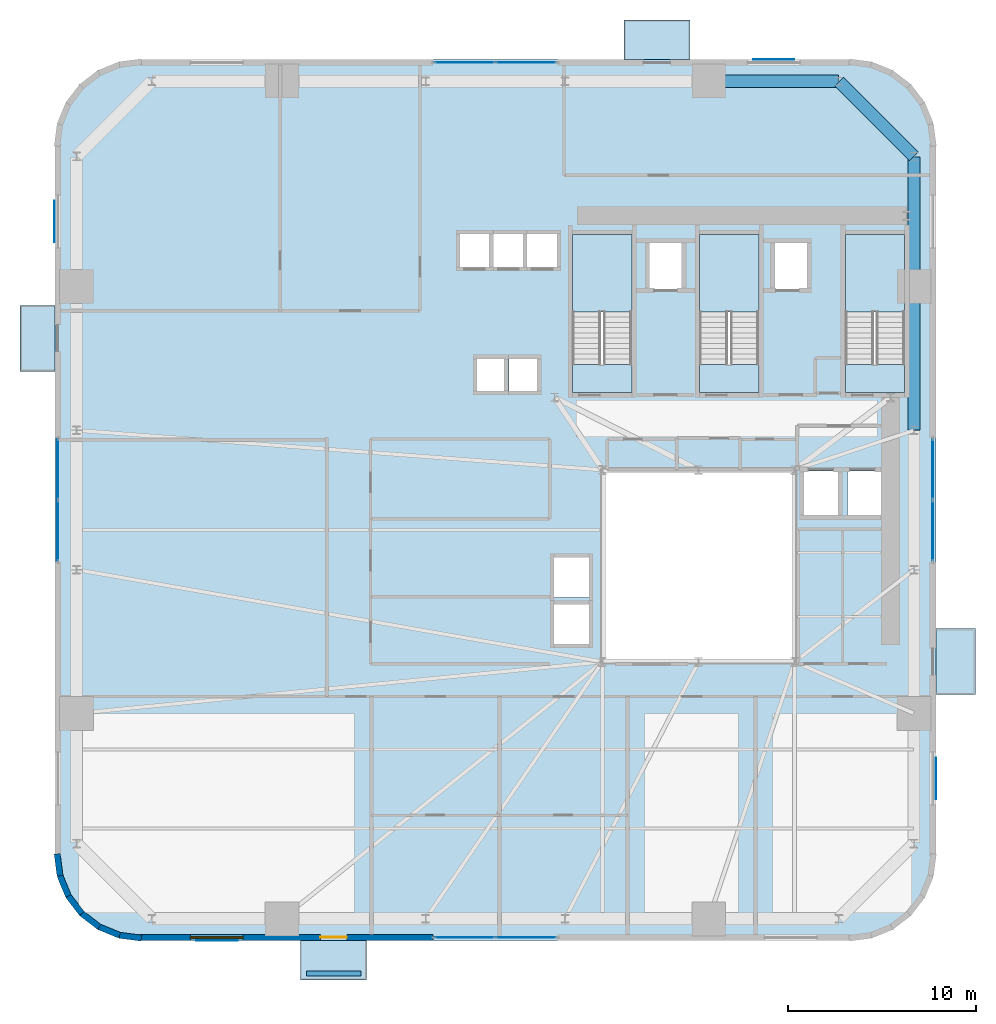
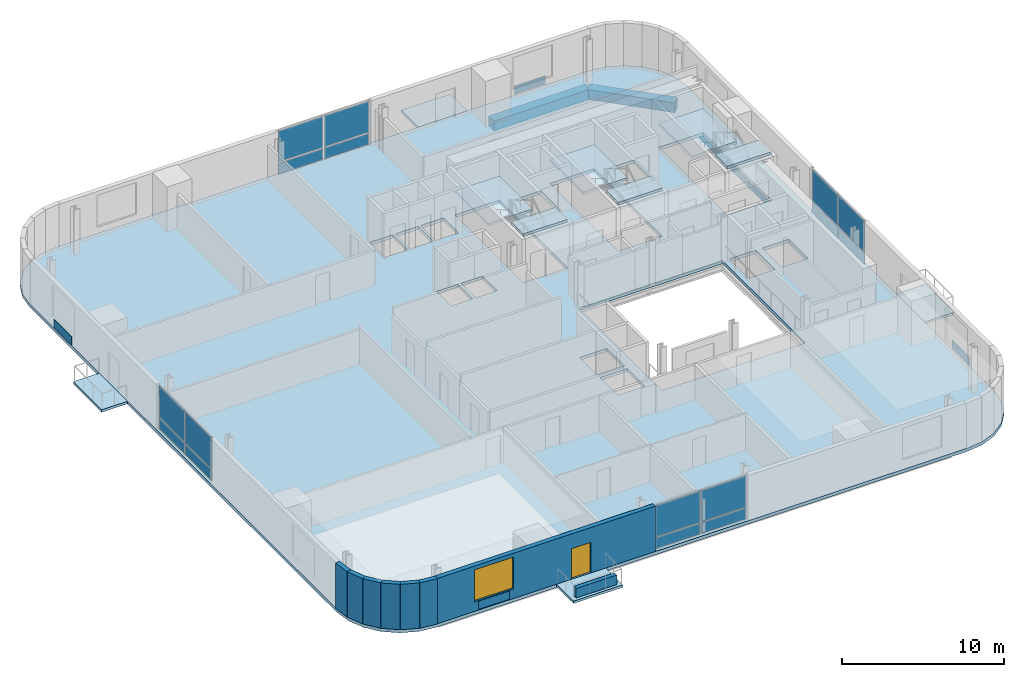
# One storey, part 5 of 11: 20 plates, 11 slabs, 8 walls, 4 beams, 1 door, 1 window, 2 openings, 7 elements without a shape of their own.
"""IFC4 building model written with IfcOpenShell, lengths in metres."""

import ifcopenshell
import ifcopenshell.guid

model = None  # the IFC model being written
_history = None  # IfcOwnerHistory: only IFC2X3 demands one
_inside = {}  # id of a spatial element -> (the spatial element, [elements in it])
_under = {}  # id of a project, library or spatial element -> (it, [spatial elements below it])
_declared = {}  # id of a project -> (the project, [libraries it declares])
_typed = {}  # id of a type object -> (the type object, [elements of that type])
_made_of = {}  # id of a material, layer set ... -> (it, [elements and type objects made of it])


def new_model(schema):
    """Start an empty IFC model of exactly this schema.

    Asked for "IFC4X3", IfcOpenShell would pick the latest addendum, in which some entities
    have other attributes; the version numbers below select the first issue.
    IFC2X3 requires an IfcOwnerHistory on every rooted entity: one is made here for all.
    """
    global model, _history
    if schema == "IFC4X3":
        model = ifcopenshell.file(schema_version=(4, 3, 0, 0))
    else:
        model = ifcopenshell.file(schema=schema)
    _inside.clear()
    _under.clear()
    _declared.clear()
    _typed.clear()
    _made_of.clear()
    _history = None
    if model.schema == "IFC2X3":
        org = make("IfcOrganization", Name="unknown")
        user = make(
            "IfcPersonAndOrganization",
            ThePerson=make("IfcPerson", FamilyName="unknown"),
            TheOrganization=org,
        )
        app = make(
            "IfcApplication",
            ApplicationDeveloper=org,
            Version="unknown",
            ApplicationFullName="unknown",
            ApplicationIdentifier="unknown",
        )
        _history = make(
            "IfcOwnerHistory",
            OwningUser=user,
            OwningApplication=app,
            ChangeAction="ADDED",
            CreationDate=0,
        )
    return model


def make(cls, **values):
    """One entity of the class cls with the attributes given. An attribute that is None is left unset."""
    return model.create_entity(
        cls, **{name: value for name, value in values.items() if value is not None}
    )


def rooted(cls, **values):
    """An entity with a GlobalId (a new one), such as an element, a storey or a relation."""
    return make(cls, GlobalId=ifcopenshell.guid.new(), OwnerHistory=_history, **values)


def si_unit(unit_type, name, prefix=None):
    """IfcSIUnit, for example si_unit("LENGTHUNIT", "METRE", prefix="MILLI")."""
    return make("IfcSIUnit", UnitType=unit_type, Prefix=prefix, Name=name)


def assignment(units):
    """IfcUnitAssignment: the units of a project."""
    return None if units is None else make("IfcUnitAssignment", Units=units)


def point(xyz):
    """IfcCartesianPoint."""
    return None if xyz is None else make("IfcCartesianPoint", Coordinates=xyz)


def direction(xyz):
    """IfcDirection."""
    return None if xyz is None else make("IfcDirection", DirectionRatios=xyz)


def frame(location, z_axis=None, x_axis=None):
    """IfcAxis2Placement3D, a coordinate frame: its origin and axes. An axis left out is left unset."""
    return make(
        "IfcAxis2Placement3D",
        Location=point(location),
        Axis=direction(z_axis),
        RefDirection=direction(x_axis),
    )


def frame_2d(location, x_axis=None):
    """IfcAxis2Placement2D, a coordinate frame in the plane: its origin and x axis."""
    return make(
        "IfcAxis2Placement2D", Location=point(location), RefDirection=direction(x_axis)
    )


def origin():
    """The frame at (0, 0, 0) with its axes left unset."""
    return frame((0.0, 0.0, 0.0))


def origin_2d():
    """The frame at (0, 0) in the plane with its x axis left unset."""
    return frame_2d((0.0, 0.0))


def place(relative_to, where):
    """IfcLocalPlacement: puts the frame where relative to a parent placement (None: the world)."""
    return make(
        "IfcLocalPlacement", PlacementRelTo=relative_to, RelativePlacement=where
    )


def context(
    kind, dimensions, precision=None, world=None, true_north=None, identifier=None
):
    """IfcGeometricRepresentationContext, for example the 3D "Model" context."""
    return make(
        "IfcGeometricRepresentationContext",
        ContextIdentifier=identifier,
        ContextType=kind,
        CoordinateSpaceDimension=dimensions,
        Precision=precision,
        WorldCoordinateSystem=world,
        TrueNorth=true_north,
    )


def subcontext(parent, identifier, kind, view, scale=None):
    """IfcGeometricRepresentationSubContext, for example "Body" below "Model"."""
    return make(
        "IfcGeometricRepresentationSubContext",
        ContextIdentifier=identifier,
        ContextType=kind,
        ParentContext=parent,
        TargetScale=scale,
        TargetView=view,
    )


def project(units=None, contexts=None):
    """IfcProject with its units and contexts."""
    return rooted(
        "IfcProject",
        Name="project",
        RepresentationContexts=contexts,
        UnitsInContext=assignment(units),
    )


def spatial(cls, under=None, at=None, **own):
    """A site, building, storey or space (cls), placed at a placement, below another one or the project."""
    s = rooted(cls, ObjectPlacement=at, **own)
    if under is not None:
        _under.setdefault(under.id(), (under, []))[1].append(s)
    return s


def polyline(points):
    """IfcPolyline through the points."""
    return make("IfcPolyline", Points=[point(p) for p in points])


def profile(cls, at=None, kind="AREA", **sizes):
    """A parametric profile (cls). Its sizes go by their IFC names, for example OverallWidth=200.0."""
    return make(cls, ProfileType=kind, Position=at, **sizes)


def rectangle(**sizes):
    """IfcRectangleProfileDef."""
    return profile("IfcRectangleProfileDef", **sizes)


def outline(outer, holes=None, kind="AREA"):
    """IfcArbitraryClosedProfileDef: a profile drawn as a closed curve; with holes, ...WithVoids."""
    if holes is None:
        return make("IfcArbitraryClosedProfileDef", ProfileType=kind, OuterCurve=outer)
    return make(
        "IfcArbitraryProfileDefWithVoids",
        ProfileType=kind,
        OuterCurve=outer,
        InnerCurves=holes,
    )


def extrude(swept, where, along, depth):
    """IfcExtrudedAreaSolid: the profile swept, set in the frame where, extruded along a direction by depth."""
    return make(
        "IfcExtrudedAreaSolid",
        SweptArea=swept,
        Position=where,
        ExtrudedDirection=direction(along),
        Depth=depth,
    )


def shape(context_of_items, identifier, shape_type, items):
    """IfcShapeRepresentation: the items that make up one representation, for example the "Body"."""
    return make(
        "IfcShapeRepresentation",
        ContextOfItems=context_of_items,
        RepresentationIdentifier=identifier,
        RepresentationType=shape_type,
        Items=items,
    )


def source(mapping_origin, context_of_items, identifier, shape_type, items):
    """IfcRepresentationMap: a shape defined once, which mapped items show again and again."""
    return make(
        "IfcRepresentationMap",
        MappingOrigin=mapping_origin,
        MappedRepresentation=shape(context_of_items, identifier, shape_type, items),
    )


def transform(
    local_origin,
    x_axis=None,
    y_axis=None,
    z_axis=None,
    scale=None,
    scale2=None,
    scale3=None,
    uniform=True,
):
    """IfcCartesianTransformationOperator3D, or its non-uniform kind. x_axis, y_axis, z_axis: its Axis1, 2, 3."""
    if uniform:
        return make(
            "IfcCartesianTransformationOperator3D",
            Axis1=direction(x_axis),
            Axis2=direction(y_axis),
            LocalOrigin=point(local_origin),
            Scale=scale,
            Axis3=direction(z_axis),
        )
    return make(
        "IfcCartesianTransformationOperator3DnonUniform",
        Axis1=direction(x_axis),
        Axis2=direction(y_axis),
        LocalOrigin=point(local_origin),
        Scale=scale,
        Axis3=direction(z_axis),
        Scale2=scale2,
        Scale3=scale3,
    )


def mapped(mapping_source, mapping_target):
    """IfcMappedItem: shows the shape of a source again, moved by a transform."""
    return make(
        "IfcMappedItem", MappingSource=mapping_source, MappingTarget=mapping_target
    )


def material(Name=None, Category=None):
    """IfcMaterial."""
    return make("IfcMaterial", Name=Name, Category=Category)


def layer(
    of_material, thickness, ventilated=None, Name=None, Category=None, Priority=None
):
    """IfcMaterialLayer: one layer of a wall or slab, of a material (None: an air gap)."""
    return make(
        "IfcMaterialLayer",
        Material=of_material,
        LayerThickness=thickness,
        IsVentilated=ventilated,
        Name=Name,
        Category=Category,
        Priority=Priority,
    )


def layer_set(layers, Name=None):
    """IfcMaterialLayerSet."""
    return make("IfcMaterialLayerSet", MaterialLayers=layers, LayerSetName=Name)


def material_profile(
    of_material, cross_section, Name=None, Category=None, Priority=None
):
    """IfcMaterialProfile: a cross section and its material."""
    return make(
        "IfcMaterialProfile",
        Name=Name,
        Material=of_material,
        Profile=cross_section,
        Priority=Priority,
        Category=Category,
    )


def profile_set(profiles, Name=None, composite=None):
    """IfcMaterialProfileSet."""
    return make(
        "IfcMaterialProfileSet",
        Name=Name,
        MaterialProfiles=profiles,
        CompositeProfile=composite,
    )


def made_of(thing, what):
    """Note that an element or type object is made of a material, layer set ...; save() writes the relation."""
    if what is not None:
        _made_of.setdefault(what.id(), (what, []))[1].append(thing)
    return thing


def type_object(cls, material=None, **own):
    """A type object (cls), such as IfcWallType, which elements share."""
    return made_of(rooted(cls, **own), material)


def element(
    cls,
    number,
    at=None,
    inside=None,
    cuts=None,
    type_object=None,
    material=None,
    context=None,
    identifier="Body",
    shape_type=None,
    held_by="IfcProductDefinitionShape",
    body=None,
    shapes=None,
    **own,
):
    """One element of the class cls, such as IfcWall. Its Tag is "e" and its number.

    at: its placement. inside: the storey or other place that contains it. cuts: it is an
    opening in that element (IfcRelVoidsElement). A single representation is given by context,
    identifier, shape_type and body (its items); several are given by shapes. held_by: the class
    of the entity that holds the representations. save() writes the other relations.
    """
    e = rooted(cls, Tag="e%d" % number, ObjectPlacement=at, **own)
    if body is not None:
        shapes = [shape(context, identifier, shape_type, body)]
    if shapes is not None:
        e.Representation = make(held_by, Representations=shapes)
    if inside is not None:
        _inside.setdefault(inside.id(), (inside, []))[1].append(e)
    if cuts is not None:
        rooted(
            "IfcRelVoidsElement", RelatingBuildingElement=cuts, RelatedOpeningElement=e
        )
    if type_object is not None:
        _typed.setdefault(type_object.id(), (type_object, []))[1].append(e)
    return made_of(e, material)


def fill(opening, filler):
    """IfcRelFillsElement: the door or window that sits in an opening."""
    return rooted(
        "IfcRelFillsElement",
        RelatingOpeningElement=opening,
        RelatedBuildingElement=filler,
    )


def aggregate(whole, parts):
    """IfcRelAggregates: a whole, such as a stair, and the parts it consists of."""
    return rooted("IfcRelAggregates", RelatingObject=whole, RelatedObjects=parts)


def save(model, path):
    """Write the relations noted so far, then the file.

    IfcRelAggregates (storeys below a building ...), IfcRelContainedInSpatialStructure (elements
    in a storey), IfcRelDefinesByType, IfcRelAssociatesMaterial and IfcRelDeclares: one each for
    every whole, place, type object, material and project.
    """
    for whole, parts in _under.values():
        aggregate(whole, parts)
    for where, things in _inside.values():
        rooted(
            "IfcRelContainedInSpatialStructure",
            RelatedElements=things,
            RelatingStructure=where,
        )
    for kind, things in _typed.values():
        rooted("IfcRelDefinesByType", RelatedObjects=things, RelatingType=kind)
    for what, things in _made_of.values():
        rooted("IfcRelAssociatesMaterial", RelatedObjects=things, RelatingMaterial=what)
    for by, libraries in _declared.values():
        rooted("IfcRelDeclares", RelatingContext=by, RelatedDefinitions=libraries)
    model.write(path)


model = new_model("IFC4")

# Units and contexts
model_context = context("Model", 3, precision=1e-05, world=origin(), true_north=direction((0.0, 1.0)))
body_context = subcontext(model_context, "Body", "Model", "MODEL_VIEW")
ifc_project = project(units=[si_unit("LENGTHUNIT", "METRE"), si_unit("AREAUNIT", "SQUARE_METRE"), si_unit("VOLUMEUNIT", "CUBIC_METRE"), si_unit("PLANEANGLEUNIT", "RADIAN"), si_unit("MASSUNIT", "GRAM", prefix="KILO")], contexts=[model_context])

# Site, building, storey
site_placement = place(None, origin())
site = spatial("IfcSite", under=ifc_project, at=site_placement, CompositionType="ELEMENT")
building_placement = place(site_placement, origin())
building = spatial("IfcBuilding", under=site, at=building_placement, Name="Vardaveli Station Tower", CompositionType="ELEMENT")
storey_placement = place(building_placement, frame((0.0, 0.0, 78.699951171875)))
storey = spatial("IfcBuildingStorey", under=building, at=storey_placement, Name="L20", CompositionType="ELEMENT", Elevation=78.699951171875)

# Beams
ifc_material_1 = material(Name="Precast concrete C45/55", Category="concrete")
ifc_material_profile = material_profile(ifc_material_1, rectangle(XDim=0.64990234375, YDim=0.75, at=origin_2d()), Name="LPB 650x750")
ifc_profile_set = profile_set([ifc_material_profile], Name="Precast concrete C45/55")
beam_type = type_object("IfcBeamType", Name="BM-LPB-750", PredefinedType="BEAM", material=ifc_profile_set)
shared_shape_1 = source(origin(), body_context, "Body", "SweptSolid", [
    extrude(rectangle(XDim=0.64990234375, YDim=0.75, at=origin_2d()), origin(), (0.0, 0.0, 1.0), 7.60009765625),
])
beam_1_placement = place(storey_placement, frame((47.75, 28.919921875, -0.614990234375), z_axis=(0.0, 1.0, 0.0), x_axis=(-1.0, 0.0, 0.0)))
element("IfcBeam", 1, at=beam_1_placement, inside=storey, type_object=beam_type, Name="RBM-L20-09", PredefinedType="BEAM", context=body_context, shape_type="MappedRepresentation", body=[
    mapped(shared_shape_1, transform((0.0, 0.0, 0.0), scale=1.0)),
])
shared_shape_2 = source(origin(), body_context, "Body", "SweptSolid", [
    extrude(rectangle(XDim=0.64990234375, YDim=0.75, at=origin_2d()), origin(), (0.0, 0.0, 1.0), 6.869873046875),
])
for number, where, z_axis, x_axis, name in (
    (2, (47.75, 36.56005859375, -0.614990234375), (0.0, 1.0, 0.0), (-1.0, 0.0, 0.0), "RBM-L20-10"),
    (3, (43.72998046875, 47.449951171875, -0.614990234375), (-1.0, 0.0, 0.0), (0.0, -1.0, 0.0), "RBM-L20-12"),
):
    element("IfcBeam", number, at=place(storey_placement, frame(where, z_axis=z_axis, x_axis=x_axis)), inside=storey, type_object=beam_type, Name=name, PredefinedType="BEAM", context=body_context, shape_type="MappedRepresentation", body=[
        mapped(shared_shape_2, transform((0.0, 0.0, 0.0), scale=1.0)),
    ])
shared_shape_3 = source(origin(), body_context, "Body", "SweptSolid", [
    extrude(rectangle(XDim=0.64990234375, YDim=0.75, at=origin_2d()), origin(), (0.0, 0.0, 1.0), 5.61669921875),
])
beam_2_placement = place(storey_placement, frame((47.73583984375, 43.464111328125, -0.614990234375), z_axis=(-0.707106781187, 0.707106781187, 0.0), x_axis=(-0.707106781187, -0.707106781187, 0.0)))
element("IfcBeam", 4, at=beam_2_placement, inside=storey, type_object=beam_type, Name="RBM-L20-11", PredefinedType="BEAM", context=body_context, shape_type="MappedRepresentation", body=[
    mapped(shared_shape_3, transform((0.0, 0.0, 0.0), scale=1.0)),
])

# Stair, slabs
ifc_material_2 = material(Name="Concrete C40/50", Category="concrete")
stair_type = type_object("IfcStairType", Name="STR-CORE-1500", PredefinedType="HALF_TURN_STAIR", material=ifc_material_2)
stair_1_placement = place(storey_placement, origin())
stair_1 = element("IfcStair", 5, at=stair_1_placement, inside=storey, type_object=stair_type, Name="L20 ST-1", PredefinedType="HALF_TURN_STAIR")
ifc_layer_1 = layer(ifc_material_2, 0.199951171875, Name="Concrete C40/50")
ifc_layer_set_1 = layer_set([ifc_layer_1], Name="Concrete C40/50")
slab_type_1 = type_object("IfcSlabType", Name="SLB-LAND-200", PredefinedType="LANDING", material=ifc_layer_set_1)
slab_1_placement = place(storey_placement, frame((0.0, 0.0, 1.625)))
slab_1 = element("IfcSlab", 6, at=slab_1_placement, type_object=slab_type_1, Name="ST-1 landing 1", PredefinedType="LANDING", context=body_context, shape_type="SweptSolid", body=[
    extrude(outline(polyline([(32.75, 35.199951171875), (32.75, 39.300048828125), (29.60009765625, 39.300048828125), (29.60009765625, 35.199951171875), (32.75, 35.199951171875)])), origin(), (0.0, 0.0, 1.0), 0.199951171875),
])
slab_2_placement = place(storey_placement, frame((0.0, 0.0, 3.449951171875)))
slab_2 = element("IfcSlab", 7, at=slab_2_placement, type_object=slab_type_1, Name="ST-1 landing 2", PredefinedType="LANDING", context=body_context, shape_type="SweptSolid", body=[
    extrude(outline(polyline([(32.75, 30.89990234375), (32.75, 32.39990234375), (29.60009765625, 32.39990234375), (29.60009765625, 30.89990234375), (32.75, 30.89990234375)])), origin(), (0.0, 0.0, 1.0), 0.2001953125),
])
aggregate(stair_1, [slab_1, slab_2])

stair_2_placement = place(storey_placement, origin())
stair_2 = element("IfcStair", 8, at=stair_2_placement, inside=storey, type_object=stair_type, Name="L20 ST-2", PredefinedType="HALF_TURN_STAIR")
slab_3_placement = place(storey_placement, frame((0.0, 0.0, 1.625)))
slab_3 = element("IfcSlab", 9, at=slab_3_placement, type_object=slab_type_1, Name="ST-2 landing 1", PredefinedType="LANDING", context=body_context, shape_type="SweptSolid", body=[
    extrude(outline(polyline([(39.5, 35.199951171875), (39.5, 39.300048828125), (36.35009765625, 39.300048828125), (36.35009765625, 35.199951171875), (39.5, 35.199951171875)])), origin(), (0.0, 0.0, 1.0), 0.199951171875),
])
slab_4_placement = place(storey_placement, frame((0.0, 0.0, 3.449951171875)))
slab_4 = element("IfcSlab", 10, at=slab_4_placement, type_object=slab_type_1, Name="ST-2 landing 2", PredefinedType="LANDING", context=body_context, shape_type="SweptSolid", body=[
    extrude(outline(polyline([(39.5, 30.89990234375), (39.5, 32.39990234375), (36.35009765625, 32.39990234375), (36.35009765625, 30.89990234375), (39.5, 30.89990234375)])), origin(), (0.0, 0.0, 1.0), 0.2001953125),
])
aggregate(stair_2, [slab_3, slab_4])

stair_3_placement = place(storey_placement, origin())
stair_3 = element("IfcStair", 11, at=stair_3_placement, inside=storey, type_object=stair_type, Name="L20 ST-3", PredefinedType="HALF_TURN_STAIR")
slab_5_placement = place(storey_placement, frame((0.0, 0.0, 1.625)))
slab_5 = element("IfcSlab", 12, at=slab_5_placement, type_object=slab_type_1, Name="ST-3 landing 1", PredefinedType="LANDING", context=body_context, shape_type="SweptSolid", body=[
    extrude(outline(polyline([(47.25, 35.199951171875), (47.25, 39.300048828125), (44.10009765625, 39.300048828125), (44.10009765625, 35.199951171875), (47.25, 35.199951171875)])), origin(), (0.0, 0.0, 1.0), 0.199951171875),
])
slab_6_placement = place(storey_placement, frame((0.0, 0.0, 3.449951171875)))
slab_6 = element("IfcSlab", 13, at=slab_6_placement, type_object=slab_type_1, Name="ST-3 landing 2", PredefinedType="LANDING", context=body_context, shape_type="SweptSolid", body=[
    extrude(outline(polyline([(47.25, 30.89990234375), (47.25, 32.39990234375), (44.10009765625, 32.39990234375), (44.10009765625, 30.89990234375), (47.25, 30.89990234375)])), origin(), (0.0, 0.0, 1.0), 0.2001953125),
])
aggregate(stair_3, [slab_5, slab_6])

# Slabs
ifc_layer_2 = layer(ifc_material_1, 0.179931640625, Name="Precast concrete C45/55")
ifc_layer_set_2 = layer_set([ifc_layer_2], Name="Precast concrete C45/55")
slab_type_2 = type_object("IfcSlabType", Name="SLB-LOGGIA-180", PredefinedType="FLOOR", material=ifc_layer_set_2)
slab_7_placement = place(storey_placement, frame((0.0, 0.0, -0.179931640625)))
element("IfcSlab", 14, at=slab_7_placement, inside=storey, type_object=slab_type_2, Name="LOG-L20-S", PredefinedType="FLOOR", context=body_context, shape_type="SweptSolid", body=[
    extrude(outline(polyline([(15.160400390625, -0.300048828125), (18.660400390625, -0.300048828125), (18.660400390625, 1.800048828125), (15.160400390625, 1.800048828125), (15.160400390625, -0.300048828125)])), origin(), (0.0, 0.0, 1.0), 0.179931640625),
])
slab_8_placement = place(storey_placement, frame((0.0, 0.0, -0.179931640625)))
element("IfcSlab", 15, at=slab_8_placement, inside=storey, type_object=slab_type_2, Name="LOG-L20-N", PredefinedType="FLOOR", context=body_context, shape_type="SweptSolid", body=[
    extrude(outline(polyline([(32.339599609375, 48.60009765625), (35.839599609375, 48.60009765625), (35.839599609375, 50.699951171875), (32.339599609375, 50.699951171875), (32.339599609375, 48.60009765625)])), origin(), (0.0, 0.0, 1.0), 0.179931640625),
])
slab_9_placement = place(storey_placement, frame((0.0, 0.0, -0.179931640625)))
element("IfcSlab", 16, at=slab_9_placement, inside=storey, type_object=slab_type_2, Name="LOG-L20-W", PredefinedType="FLOOR", context=body_context, shape_type="SweptSolid", body=[
    extrude(outline(polyline([(0.25, 32.03955078125), (2.10009765625, 32.03955078125), (2.10009765625, 35.53955078125), (0.25, 35.53955078125), (0.25, 32.03955078125)])), origin(), (0.0, 0.0, 1.0), 0.179931640625),
])
slab_10_placement = place(storey_placement, frame((0.0, 0.0, -0.179931640625)))
element("IfcSlab", 17, at=slab_10_placement, inside=storey, type_object=slab_type_2, Name="LOG-L20-E", PredefinedType="FLOOR", context=body_context, shape_type="SweptSolid", body=[
    extrude(outline(polyline([(48.89990234375, 14.8603515625), (51.0, 14.8603515625), (51.0, 18.3603515625), (48.89990234375, 18.3603515625), (48.89990234375, 14.8603515625)])), origin(), (0.0, 0.0, 1.0), 0.179931640625),
])
ifc_layer_3 = layer(ifc_material_2, 0.239990234375, Name="Concrete C40/50")
ifc_layer_set_3 = layer_set([ifc_layer_3], Name="Concrete C40/50")
slab_type_3 = type_object("IfcSlabType", Name="SLB-TOW-240", PredefinedType="FLOOR", material=ifc_layer_set_3)
slab_11_placement = place(storey_placement, frame((0.0, 0.0, -0.239990234375)))
element("IfcSlab", 18, at=slab_11_placement, inside=storey, type_object=slab_type_3, Name="SLB-L20-MAIN", PredefinedType="FLOOR", context=body_context, shape_type="SweptSolid", body=[
    extrude(outline(polyline([(2.10009765625, 6.300048828125), (2.25341796875, 5.13525390625), (2.702880859375, 4.050048828125), (3.41796875, 3.117919921875), (4.35009765625, 2.40283203125), (5.435302734375, 1.953369140625), (6.60009765625, 1.800048828125), (44.39990234375, 1.800048828125), (45.564697265625, 1.953369140625), (46.64990234375, 2.40283203125), (47.58203125, 3.117919921875), (48.297119140625, 4.050048828125), (48.74658203125, 5.13525390625), (48.89990234375, 6.300048828125), (48.89990234375, 44.10009765625), (48.74658203125, 45.2646484375), (48.297119140625, 46.35009765625), (47.58203125, 47.281982421875), (46.64990234375, 47.9970703125), (45.564697265625, 48.44677734375), (44.39990234375, 48.60009765625), (6.60009765625, 48.60009765625), (5.435302734375, 48.44677734375), (4.35009765625, 47.9970703125), (3.41796875, 47.281982421875), (2.702880859375, 46.35009765625), (2.25341796875, 45.2646484375), (2.10009765625, 44.10009765625), (2.10009765625, 6.300048828125)]), holes=[polyline([(31.199951171875, 16.60009765625), (41.39990234375, 16.60009765625), (41.39990234375, 26.800048828125), (31.199951171875, 26.800048828125), (31.199951171875, 16.60009765625)]), polyline([(32.75, 30.89990234375), (32.75, 39.300048828125), (29.60009765625, 39.300048828125), (29.60009765625, 30.89990234375), (32.75, 30.89990234375)]), polyline([(39.5, 30.89990234375), (39.5, 39.300048828125), (36.35009765625, 39.300048828125), (36.35009765625, 30.89990234375), (39.5, 30.89990234375)]), polyline([(47.25, 30.89990234375), (47.25, 39.300048828125), (44.10009765625, 39.300048828125), (44.10009765625, 30.89990234375), (47.25, 30.89990234375)]), polyline([(23.5849609375, 37.534912109375), (25.215087890625, 37.534912109375), (25.215087890625, 39.364990234375), (23.5849609375, 39.364990234375), (23.5849609375, 37.534912109375)]), polyline([(25.385009765625, 37.534912109375), (27.014892578125, 37.534912109375), (27.014892578125, 39.364990234375), (25.385009765625, 39.364990234375), (25.385009765625, 37.534912109375)]), polyline([(27.18505859375, 37.534912109375), (28.81494140625, 37.534912109375), (28.81494140625, 39.364990234375), (27.18505859375, 39.364990234375), (27.18505859375, 37.534912109375)]), polyline([(33.659912109375, 36.409912109375), (35.43994140625, 36.409912109375), (35.43994140625, 38.889892578125), (33.659912109375, 38.889892578125), (33.659912109375, 36.409912109375)]), polyline([(40.31005859375, 36.409912109375), (42.090087890625, 36.409912109375), (42.090087890625, 38.889892578125), (40.31005859375, 38.889892578125), (40.31005859375, 36.409912109375)]), polyline([(24.485107421875, 30.9599609375), (26.014892578125, 30.9599609375), (26.014892578125, 32.739990234375), (24.485107421875, 32.739990234375), (24.485107421875, 30.9599609375)]), polyline([(26.235107421875, 30.9599609375), (27.764892578125, 30.9599609375), (27.764892578125, 32.739990234375), (26.235107421875, 32.739990234375), (26.235107421875, 30.9599609375)]), polyline([(28.5849609375, 17.510009765625), (30.514892578125, 17.510009765625), (30.514892578125, 19.68994140625), (28.5849609375, 19.68994140625), (28.5849609375, 17.510009765625)]), polyline([(28.5849609375, 20.010009765625), (30.514892578125, 20.010009765625), (30.514892578125, 22.18994140625), (28.5849609375, 22.18994140625), (28.5849609375, 20.010009765625)]), polyline([(41.860107421875, 24.360107421875), (43.739990234375, 24.360107421875), (43.739990234375, 26.739990234375), (41.860107421875, 26.739990234375), (41.860107421875, 24.360107421875)]), polyline([(44.2099609375, 24.360107421875), (46.090087890625, 24.360107421875), (46.090087890625, 26.739990234375), (44.2099609375, 26.739990234375), (44.2099609375, 24.360107421875)])]), origin(), (0.0, 0.0, 1.0), 0.239990234375),
])

# Curtain wall, plates
ifc_material_3 = material(Name="Travertine stone and solar-control glass", Category="masonry")
curtain_wall_type = type_object("IfcCurtainWallType", Name="CW-SYS-2", PredefinedType="NOTDEFINED", material=ifc_material_3)
curtain_wall_1_placement = place(storey_placement, origin())
curtain_wall_1 = element("IfcCurtainWall", 19, at=curtain_wall_1_placement, inside=storey, type_object=curtain_wall_type, Name="CW-L20-S", PredefinedType="NOTDEFINED")
ifc_material_4 = material(Name="Double-glazed low-E solar-control glass", Category="glass")
ifc_layer_4 = layer(ifc_material_4, 0.035888671875, Name="Double-glazed low-E solar-control glass")
ifc_layer_set_4 = layer_set([ifc_layer_4], Name="Double-glazed low-E solar-control glass")
plate_type_1 = type_object("IfcPlateType", Name="CW-SYS-2-PAN", PredefinedType="CURTAIN_PANEL", material=ifc_layer_set_4)
shared_shape_4 = source(origin(), body_context, "Body", "SweptSolid", [
    extrude(rectangle(XDim=3.172607421875, YDim=0.035888671875, at=origin_2d()), origin(), (0.0, 0.0, 1.0), 0.822509765625),
])
plate_1_placement = place(storey_placement, frame((23.871337890625, 1.9599609375, 0.0849609375), z_axis=(0.0, 0.0, 1.0), x_axis=(1.0, 0.0, 0.0)))
plate_1 = element("IfcPlate", 20, at=plate_1_placement, type_object=plate_type_1, Name="CW-2 panel 1.1", PredefinedType="CURTAIN_PANEL", context=body_context, shape_type="MappedRepresentation", body=[
    mapped(shared_shape_4, transform((0.0, 0.0, 0.0), scale=1.0)),
])
plate_2_placement = place(storey_placement, frame((27.128662109375, 1.9599609375, 0.0849609375), z_axis=(0.0, 0.0, 1.0), x_axis=(1.0, 0.0, 0.0)))
plate_2 = element("IfcPlate", 21, at=plate_2_placement, type_object=plate_type_1, Name="CW-2 panel 2.1", PredefinedType="CURTAIN_PANEL", context=body_context, shape_type="MappedRepresentation", body=[
    mapped(shared_shape_4, transform((0.0, 0.0, 0.0), scale=1.0)),
])

curtain_wall_2_placement = place(storey_placement, origin())
curtain_wall_2 = element("IfcCurtainWall", 22, at=curtain_wall_2_placement, inside=storey, type_object=curtain_wall_type, Name="CW-L20-N", PredefinedType="NOTDEFINED")
plate_3_placement = place(storey_placement, frame((27.128662109375, 48.43994140625, 0.0849609375), z_axis=(0.0, 0.0, 1.0), x_axis=(-1.0, 0.0, 0.0)))
plate_3 = element("IfcPlate", 23, at=plate_3_placement, type_object=plate_type_1, Name="CW-2 panel 1.1", PredefinedType="CURTAIN_PANEL", context=body_context, shape_type="MappedRepresentation", body=[
    mapped(shared_shape_4, transform((0.0, 0.0, 0.0), scale=1.0)),
])
plate_4_placement = place(storey_placement, frame((23.871337890625, 48.43994140625, 0.0849609375), z_axis=(0.0, 0.0, 1.0), x_axis=(-1.0, 0.0, 0.0)))
plate_4 = element("IfcPlate", 24, at=plate_4_placement, type_object=plate_type_1, Name="CW-2 panel 2.1", PredefinedType="CURTAIN_PANEL", context=body_context, shape_type="MappedRepresentation", body=[
    mapped(shared_shape_4, transform((0.0, 0.0, 0.0), scale=1.0)),
])

curtain_wall_3_placement = place(storey_placement, origin())
curtain_wall_3 = element("IfcCurtainWall", 25, at=curtain_wall_3_placement, inside=storey, type_object=curtain_wall_type, Name="CW-L20-W", PredefinedType="NOTDEFINED")
plate_5_placement = place(storey_placement, frame((2.260009765625, 26.828857421875, 0.0849609375), z_axis=(0.0, 0.0, 1.0), x_axis=(0.0, -1.0, 0.0)))
plate_5 = element("IfcPlate", 26, at=plate_5_placement, type_object=plate_type_1, Name="CW-2 panel 1.1", PredefinedType="CURTAIN_PANEL", context=body_context, shape_type="MappedRepresentation", body=[
    mapped(shared_shape_4, transform((0.0, 0.0, 0.0), scale=1.0)),
])
plate_6_placement = place(storey_placement, frame((2.260009765625, 23.5712890625, 0.0849609375), z_axis=(0.0, 0.0, 1.0), x_axis=(0.0, -1.0, 0.0)))
plate_6 = element("IfcPlate", 27, at=plate_6_placement, type_object=plate_type_1, Name="CW-2 panel 2.1", PredefinedType="CURTAIN_PANEL", context=body_context, shape_type="MappedRepresentation", body=[
    mapped(shared_shape_4, transform((0.0, 0.0, 0.0), scale=1.0)),
])

curtain_wall_4_placement = place(storey_placement, origin())
curtain_wall_4 = element("IfcCurtainWall", 28, at=curtain_wall_4_placement, inside=storey, type_object=curtain_wall_type, Name="CW-L20-E", PredefinedType="NOTDEFINED")
plate_7_placement = place(storey_placement, frame((48.739990234375, 23.5712890625, 0.0849609375), z_axis=(0.0, 0.0, 1.0), x_axis=(0.0, 1.0, 0.0)))
plate_7 = element("IfcPlate", 29, at=plate_7_placement, type_object=plate_type_1, Name="CW-2 panel 1.1", PredefinedType="CURTAIN_PANEL", context=body_context, shape_type="MappedRepresentation", body=[
    mapped(shared_shape_4, transform((0.0, 0.0, 0.0), scale=1.0)),
])
plate_8_placement = place(storey_placement, frame((48.739990234375, 26.828857421875, 0.0849609375), z_axis=(0.0, 0.0, 1.0), x_axis=(0.0, 1.0, 0.0)))
plate_8 = element("IfcPlate", 30, at=plate_8_placement, type_object=plate_type_1, Name="CW-2 panel 2.1", PredefinedType="CURTAIN_PANEL", context=body_context, shape_type="MappedRepresentation", body=[
    mapped(shared_shape_4, transform((0.0, 0.0, 0.0), scale=1.0)),
])

# Plate
shared_shape_5 = source(origin(), body_context, "Body", "SweptSolid", [
    extrude(rectangle(XDim=3.172607421875, YDim=0.035888671875, at=origin_2d()), origin(), (0.0, 0.0, 1.0), 2.33251953125),
])
plate_9_placement = place(storey_placement, frame((23.871337890625, 1.9599609375, 0.992431640625), z_axis=(0.0, 0.0, 1.0), x_axis=(1.0, 0.0, 0.0)))
plate_9 = element("IfcPlate", 31, at=plate_9_placement, type_object=plate_type_1, Name="CW-2 panel 1.2", PredefinedType="CURTAIN_PANEL", context=body_context, shape_type="MappedRepresentation", body=[
    mapped(shared_shape_5, transform((0.0, 0.0, 0.0), scale=1.0)),
])

plate_10_placement = place(storey_placement, frame((27.128662109375, 1.9599609375, 0.992431640625), z_axis=(0.0, 0.0, 1.0), x_axis=(1.0, 0.0, 0.0)))
plate_10 = element("IfcPlate", 32, at=plate_10_placement, type_object=plate_type_1, Name="CW-2 panel 2.2", PredefinedType="CURTAIN_PANEL", context=body_context, shape_type="MappedRepresentation", body=[
    mapped(shared_shape_5, transform((0.0, 0.0, 0.0), scale=1.0)),
])

aggregate(curtain_wall_1, [plate_1, plate_9, plate_2, plate_10])

plate_11_placement = place(storey_placement, frame((27.128662109375, 48.43994140625, 0.992431640625), z_axis=(0.0, 0.0, 1.0), x_axis=(-1.0, 0.0, 0.0)))
plate_11 = element("IfcPlate", 33, at=plate_11_placement, type_object=plate_type_1, Name="CW-2 panel 1.2", PredefinedType="CURTAIN_PANEL", context=body_context, shape_type="MappedRepresentation", body=[
    mapped(shared_shape_5, transform((0.0, 0.0, 0.0), scale=1.0)),
])

plate_12_placement = place(storey_placement, frame((23.871337890625, 48.43994140625, 0.992431640625), z_axis=(0.0, 0.0, 1.0), x_axis=(-1.0, 0.0, 0.0)))
plate_12 = element("IfcPlate", 34, at=plate_12_placement, type_object=plate_type_1, Name="CW-2 panel 2.2", PredefinedType="CURTAIN_PANEL", context=body_context, shape_type="MappedRepresentation", body=[
    mapped(shared_shape_5, transform((0.0, 0.0, 0.0), scale=1.0)),
])

aggregate(curtain_wall_2, [plate_3, plate_11, plate_4, plate_12])

plate_13_placement = place(storey_placement, frame((2.260009765625, 26.828857421875, 0.992431640625), z_axis=(0.0, 0.0, 1.0), x_axis=(0.0, -1.0, 0.0)))
plate_13 = element("IfcPlate", 35, at=plate_13_placement, type_object=plate_type_1, Name="CW-2 panel 1.2", PredefinedType="CURTAIN_PANEL", context=body_context, shape_type="MappedRepresentation", body=[
    mapped(shared_shape_5, transform((0.0, 0.0, 0.0), scale=1.0)),
])

plate_14_placement = place(storey_placement, frame((2.260009765625, 23.5712890625, 0.992431640625), z_axis=(0.0, 0.0, 1.0), x_axis=(0.0, -1.0, 0.0)))
plate_14 = element("IfcPlate", 36, at=plate_14_placement, type_object=plate_type_1, Name="CW-2 panel 2.2", PredefinedType="CURTAIN_PANEL", context=body_context, shape_type="MappedRepresentation", body=[
    mapped(shared_shape_5, transform((0.0, 0.0, 0.0), scale=1.0)),
])

aggregate(curtain_wall_3, [plate_5, plate_13, plate_6, plate_14])

plate_15_placement = place(storey_placement, frame((48.739990234375, 23.5712890625, 0.992431640625), z_axis=(0.0, 0.0, 1.0), x_axis=(0.0, 1.0, 0.0)))
plate_15 = element("IfcPlate", 37, at=plate_15_placement, type_object=plate_type_1, Name="CW-2 panel 1.2", PredefinedType="CURTAIN_PANEL", context=body_context, shape_type="MappedRepresentation", body=[
    mapped(shared_shape_5, transform((0.0, 0.0, 0.0), scale=1.0)),
])

plate_16_placement = place(storey_placement, frame((48.739990234375, 26.828857421875, 0.992431640625), z_axis=(0.0, 0.0, 1.0), x_axis=(0.0, 1.0, 0.0)))
plate_16 = element("IfcPlate", 38, at=plate_16_placement, type_object=plate_type_1, Name="CW-2 panel 2.2", PredefinedType="CURTAIN_PANEL", context=body_context, shape_type="MappedRepresentation", body=[
    mapped(shared_shape_5, transform((0.0, 0.0, 0.0), scale=1.0)),
])

aggregate(curtain_wall_4, [plate_7, plate_15, plate_8, plate_16])

# Plates
ifc_material_5 = material(Name="Honed Caucasian travertine stone", Category="masonry")
ifc_layer_5 = layer(ifc_material_5, 0.034912109375, Name="Honed Caucasian travertine stone")
ifc_layer_set_5 = layer_set([ifc_layer_5], Name="Honed Caucasian travertine stone")
plate_type_2 = type_object("IfcPlateType", Name="PLT-TRAV-35", PredefinedType="SHEET", material=ifc_layer_set_5)
shared_shape_6 = source(origin(), body_context, "Body", "SweptSolid", [
    extrude(rectangle(XDim=2.199951171875, YDim=0.034912109375, at=origin_2d()), origin(), (0.0, 0.0, 1.0), 0.6201171875),
])
for number, where, z_axis, x_axis, name in (
    (39, (10.705078125, 1.79052734375, 0.070068359375), (0.0, 0.0, 1.0), (1.0, 0.0, 0.0), "PLT-TR-L20-S"),
    (40, (40.294921875, 48.609619140625, 0.070068359375), (0.0, 0.0, 1.0), (1.0, 0.0, 0.0), "PLT-TR-L20-N"),
    (41, (2.090576171875, 39.9951171875, 0.070068359375), (0.0, 0.0, 1.0), (0.0, 1.0, 0.0), "PLT-TR-L20-W"),
    (42, (48.909423828125, 10.405029296875, 0.070068359375), (0.0, 0.0, 1.0), (0.0, 1.0, 0.0), "PLT-TR-L20-E"),
):
    element("IfcPlate", number, at=place(storey_placement, frame(where, z_axis=z_axis, x_axis=x_axis)), inside=storey, type_object=plate_type_2, Name=name, PredefinedType="SHEET", context=body_context, shape_type="MappedRepresentation", body=[
        mapped(shared_shape_6, transform((0.0, 0.0, 0.0), scale=1.0)),
    ])

# Wall, openings, door, window
ifc_layer_6 = layer(ifc_material_1, 0.320068359375, Name="Precast concrete C45/55")
ifc_layer_set_6 = layer_set([ifc_layer_6], Name="Precast concrete C45/55")
wall_type_1 = type_object("IfcWallType", Name="WAL-EXT-STONE-320", PredefinedType="SOLIDWALL", material=ifc_layer_set_6)
shared_shape_7 = source(origin(), body_context, "Body", "SweptSolid", [
    extrude(rectangle(XDim=15.599853515625, YDim=0.320068359375, at=frame_2d((7.7998046875, 0.0))), origin(), (0.0, 0.0, 1.0), 3.41015625),
])
wall_1_placement = place(storey_placement, frame((6.60009765625, 1.9599609375, 0.0), z_axis=(0.0, 0.0, 1.0), x_axis=(1.0, 0.0, 0.0)))
wall_1 = element("IfcWall", 43, at=wall_1_placement, inside=storey, type_object=wall_type_1, Name="EW-L20-S1", PredefinedType="SOLIDWALL", context=body_context, shape_type="MappedRepresentation", body=[
    mapped(shared_shape_7, transform((0.0, 0.0, 0.0), scale=1.0)),
])
shared_shape_8 = source(origin(), body_context, "Body", "SweptSolid", [
    extrude(rectangle(XDim=1.39990234375, YDim=2.300048828125, at=frame_2d((0.699951171875, 1.14990234375))), frame((0.0, 0.169921875, 0.0), z_axis=(0.0, -1.0, 0.0), x_axis=(1.0, 0.0, 0.0)), (0.0, 0.0, 1.0), 0.340087890625),
])
opening_1_placement = place(wall_1_placement, frame((9.6103515625, 0.0, 0.0)))
opening_1 = element("IfcOpeningElement", 44, at=opening_1_placement, cuts=wall_1, Name="Opening D-09", PredefinedType="OPENING", context=body_context, shape_type="MappedRepresentation", body=[
    mapped(shared_shape_8, transform((0.0, 0.0, 0.0), scale=1.0)),
])
shared_shape_9 = source(origin(), body_context, "Body", "SweptSolid", [
    extrude(rectangle(XDim=2.800048828125, YDim=2.39990234375, at=frame_2d((1.39990234375, 1.199951171875))), frame((0.0, 0.169921875, 0.0), z_axis=(0.0, -1.0, 0.0), x_axis=(1.0, 0.0, 0.0)), (0.0, 0.0, 1.0), 0.340087890625),
])
opening_2_placement = place(wall_1_placement, frame((2.705078125, 0.0, 0.719970703125)))
opening_2 = element("IfcOpeningElement", 45, at=opening_2_placement, cuts=wall_1, Name="Opening W-04", PredefinedType="OPENING", context=body_context, shape_type="MappedRepresentation", body=[
    mapped(shared_shape_9, transform((0.0, 0.0, 0.0), scale=1.0)),
])
ifc_material_6 = material(Name="Thermally broken aluminium glass", Category="aluminium")
door_type = type_object("IfcDoorType", Name="DR-LOG-1400x2300", OperationType="DOUBLE_DOOR_SLIDING", PredefinedType="DOOR", material=ifc_material_6)
shared_shape_10 = source(origin(), body_context, "Body", "SweptSolid", [
    extrude(rectangle(XDim=1.39990234375, YDim=2.300048828125, at=frame_2d((0.699951171875, 1.14990234375))), frame((0.0, 0.02490234375, 0.0), z_axis=(0.0, -1.0, 0.0), x_axis=(1.0, 0.0, 0.0)), (0.0, 0.0, 1.0), 0.050048828125),
])
door_placement = place(opening_1_placement, frame((1.39990234375, 0.0, 0.0), z_axis=(0.0, 0.0, 1.0), x_axis=(-1.0, 0.0, 0.0)))
door = element("IfcDoor", 46, at=door_placement, inside=storey, type_object=door_type, Name="DLG-L20-S", OperationType="DOUBLE_DOOR_SLIDING", OverallHeight=2.300048828125, OverallWidth=1.39990234375, PredefinedType="DOOR", context=body_context, shape_type="MappedRepresentation", body=[
    mapped(shared_shape_10, transform((0.0, 0.0, 0.0), scale=1.0)),
])
fill(opening_1, door)
ifc_material_7 = material(Name="Low-E solar-control glass", Category="glass")
window_type = type_object("IfcWindowType", Name="WIN-SUITE-2800x2400", PartitioningType="SINGLE_PANEL", PredefinedType="WINDOW", material=ifc_material_7)
shared_shape_11 = source(origin(), body_context, "Body", "SweptSolid", [
    extrude(rectangle(XDim=2.800048828125, YDim=2.39990234375, at=frame_2d((1.39990234375, 1.199951171875))), frame((0.0, 0.030029296875, 0.0), z_axis=(0.0, -1.0, 0.0), x_axis=(1.0, 0.0, 0.0)), (0.0, 0.0, 1.0), 0.06005859375),
])
window_placement = place(opening_2_placement, origin())
window = element("IfcWindow", 47, at=window_placement, inside=storey, type_object=window_type, Name="WN-L20-S1", OverallHeight=2.39990234375, OverallWidth=2.800048828125, PartitioningType="SINGLE_PANEL", PredefinedType="WINDOW", context=body_context, shape_type="MappedRepresentation", body=[
    mapped(shared_shape_11, transform((0.0, 0.0, 0.0), scale=1.0)),
])
fill(opening_2, window)

# Walls
shared_shape_12 = source(origin(), body_context, "Body", "SweptSolid", [
    extrude(rectangle(XDim=1.170654296875, YDim=0.320068359375, at=frame_2d((0.58544921875, 0.0))), origin(), (0.0, 0.0, 1.0), 3.41015625),
])
wall_2_placement = place(storey_placement, frame((2.224365234375, 6.400634765625, 0.0), z_axis=(0.0, 0.0, 1.0), x_axis=(0.128269133229, -0.991739395941, 0.0)))
element("IfcWall", 48, at=wall_2_placement, inside=storey, type_object=wall_type_1, Name="EW-L20-CR1-1", PredefinedType="SOLIDWALL", context=body_context, shape_type="MappedRepresentation", body=[
    mapped(shared_shape_12, transform((0.0, 0.0, 0.0), scale=1.0)),
])
shared_shape_13 = source(origin(), body_context, "Body", "SweptSolid", [
    extrude(rectangle(XDim=1.1689453125, YDim=0.320068359375, at=frame_2d((0.58447265625, 0.0))), origin(), (0.0, 0.0, 1.0), 3.41015625),
])
for number, where, z_axis, x_axis, name in (
    (49, (2.37451171875, 5.23974609375, 0.0), (0.0, 0.0, 1.0), (0.381127904695, -0.924522320046, 0.0), "EW-L20-CR1-2"),
    (50, (2.820068359375, 4.158935546875, 0.0), (0.0, 0.0, 1.0), (0.608387696831, -0.793639975269, 0.0), "EW-L20-CR1-3"),
):
    element("IfcWall", number, at=place(storey_placement, frame(where, z_axis=z_axis, x_axis=x_axis)), inside=storey, type_object=wall_type_1, Name=name, PredefinedType="SOLIDWALL", context=body_context, shape_type="MappedRepresentation", body=[
        mapped(shared_shape_13, transform((0.0, 0.0, 0.0), scale=1.0)),
    ])
shared_shape_14 = source(origin(), body_context, "Body", "SweptSolid", [
    extrude(rectangle(XDim=1.168701171875, YDim=0.320068359375, at=frame_2d((0.58447265625, 0.0))), origin(), (0.0, 0.0, 1.0), 3.41015625),
])
wall_3_placement = place(storey_placement, frame((3.53125, 3.231201171875, 0.0), z_axis=(0.0, 0.0, 1.0), x_axis=(0.793663520347, -0.608356981114, 0.0)))
element("IfcWall", 51, at=wall_3_placement, inside=storey, type_object=wall_type_1, Name="EW-L20-CR1-4", PredefinedType="SOLIDWALL", context=body_context, shape_type="MappedRepresentation", body=[
    mapped(shared_shape_14, transform((0.0, 0.0, 0.0), scale=1.0)),
])
shared_shape_15 = source(origin(), body_context, "Body", "SweptSolid", [
    extrude(rectangle(XDim=1.16943359375, YDim=0.320068359375, at=frame_2d((0.584716796875, 0.0))), origin(), (0.0, 0.0, 1.0), 3.41015625),
])
wall_4_placement = place(storey_placement, frame((4.458740234375, 2.520263671875, 0.0), z_axis=(0.0, 0.0, 1.0), x_axis=(0.924479075121, -0.381232789334, 0.0)))
element("IfcWall", 52, at=wall_4_placement, inside=storey, type_object=wall_type_1, Name="EW-L20-CR1-5", PredefinedType="SOLIDWALL", context=body_context, shape_type="MappedRepresentation", body=[
    mapped(shared_shape_15, transform((0.0, 0.0, 0.0), scale=1.0)),
])
shared_shape_16 = source(origin(), body_context, "Body", "SweptSolid", [
    extrude(rectangle(XDim=1.170166015625, YDim=0.320068359375, at=frame_2d((0.5849609375, 0.0))), origin(), (0.0, 0.0, 1.0), 3.41015625),
])
wall_5_placement = place(storey_placement, frame((5.539794921875, 2.074462890625, 0.0), z_axis=(0.0, 0.0, 1.0), x_axis=(0.991762485493, -0.128090485085, 0.0)))
element("IfcWall", 53, at=wall_5_placement, inside=storey, type_object=wall_type_1, Name="EW-L20-CR1-6", PredefinedType="SOLIDWALL", context=body_context, shape_type="MappedRepresentation", body=[
    mapped(shared_shape_16, transform((0.0, 0.0, 0.0), scale=1.0)),
])
ifc_layer_7 = layer(ifc_material_1, 0.280029296875, Name="Precast concrete C45/55")
ifc_layer_set_7 = layer_set([ifc_layer_7], Name="Precast concrete C45/55")
wall_type_2 = type_object("IfcWallType", Name="WAL-PARAPET-280", PredefinedType="SOLIDWALL", material=ifc_layer_set_7)
shared_shape_17 = source(origin(), body_context, "Body", "SweptSolid", [
    extrude(rectangle(XDim=2.89990234375, YDim=0.280029296875, at=frame_2d((1.449951171875, 0.0))), origin(), (0.0, 0.0, 1.0), 0.719970703125),
])
wall_6_placement = place(storey_placement, frame((15.46044921875, 0.050048828125, 0.0), z_axis=(0.0, 0.0, 1.0), x_axis=(1.0, 0.0, 0.0)))
element("IfcWall", 54, at=wall_6_placement, inside=storey, type_object=wall_type_2, Name="Terrace Travertine Planter L20", PredefinedType="SOLIDWALL", context=body_context, shape_type="MappedRepresentation", body=[
    mapped(shared_shape_17, transform((0.0, 0.0, 0.0), scale=1.0)),
])

save(model, "model.ifc")
